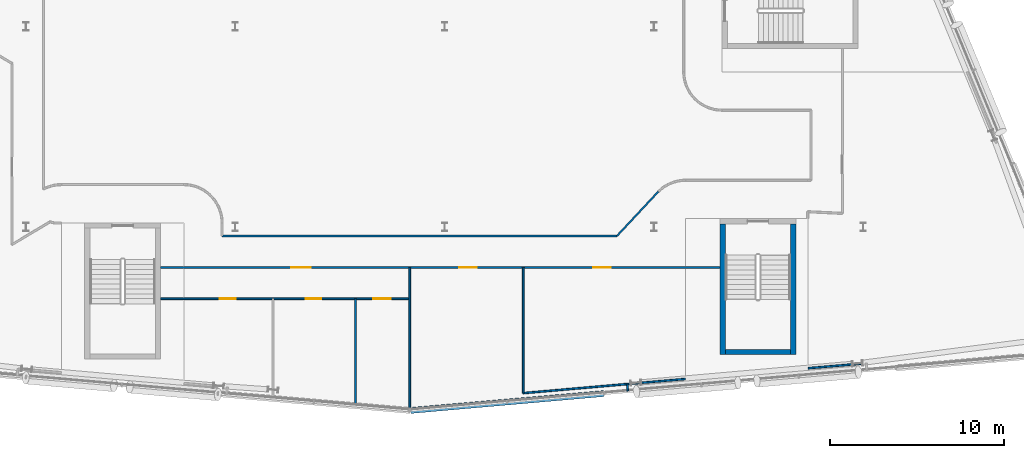
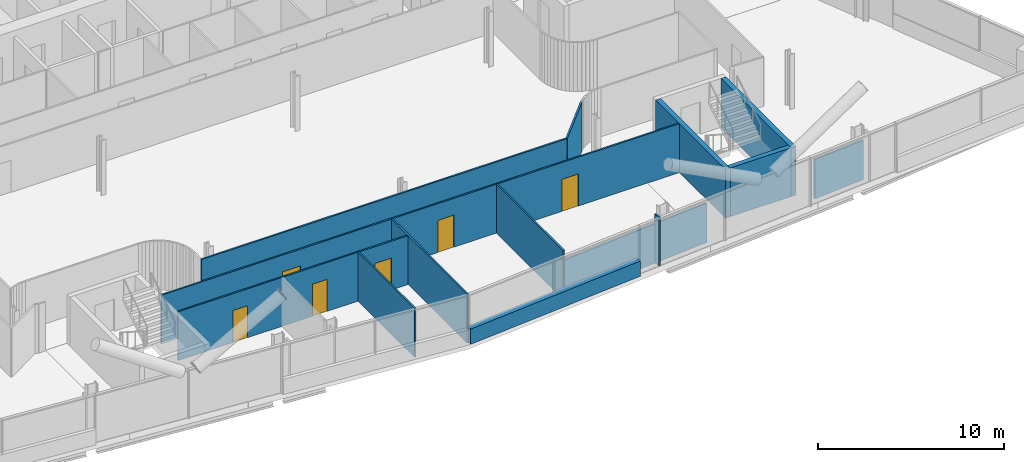
# One storey, part 15 of 27: 14 walls, 6 doors, 6 openings.
"""IFC4 building model written with IfcOpenShell, lengths in metres."""

from ifc_helpers import new_model, si_unit, direction, frame, frame_2d, origin, place, context, subcontext, project, spatial, rectangle, extrude, material, layer, layer_set, type_object, element, fill, save


model = new_model("IFC4")

# Units and contexts
model_context = context("Model", 3, precision=1e-05, world=origin(), true_north=direction((0.0, 1.0)))
body_context = subcontext(model_context, "Body", "Model", "MODEL_VIEW")
ifc_project = project(units=[si_unit("LENGTHUNIT", "METRE"), si_unit("AREAUNIT", "SQUARE_METRE"), si_unit("VOLUMEUNIT", "CUBIC_METRE"), si_unit("PLANEANGLEUNIT", "RADIAN"), si_unit("MASSUNIT", "GRAM", prefix="KILO")], contexts=[model_context])

# Site, building, storey
site_placement = place(None, origin())
site = spatial("IfcSite", under=ifc_project, at=site_placement, CompositionType="ELEMENT")
building_placement = place(site_placement, origin())
building = spatial("IfcBuilding", under=site, at=building_placement, Name="Wharfspan Tower", CompositionType="ELEMENT")
storey_placement = place(building_placement, frame((0.0, 0.0, 159.100098)))
storey = spatial("IfcBuildingStorey", under=building, at=storey_placement, Name="L38", CompositionType="ELEMENT", Elevation=159.100098)

# Wall, openings, doors
ifc_material_1 = material(Name="Gypsum board on steel studs", Category="steel")
ifc_layer_1 = layer(ifc_material_1, 0.100098)
ifc_layer_set_1 = layer_set([ifc_layer_1], Name="Gypsum board on steel studs")
wall_type_1 = type_object("IfcWallType", Name="Compartment wall 100 EI 60", PredefinedType="PARTITIONING", material=ifc_layer_set_1)
wall_1_placement = place(storey_placement, frame((31.714111, 9.179932, 0.0), z_axis=(0.0, 0.0, 1.0), x_axis=(1.0, 0.0, 0.0)))
wall_1 = element("IfcWall", 1, at=wall_1_placement, inside=storey, type_object=wall_type_1, Name="Partition L38.w029", PredefinedType="PARTITIONING", context=body_context, shape_type="SweptSolid", body=[
    extrude(rectangle(XDim=32.072266, YDim=0.100098, at=frame_2d((16.036133, 0.0))), origin(), (0.0, 0.0, 1.0), 3.199951),
])
opening_1_placement = place(wall_1_placement, frame((7.496582, 0.0, 0.0)))
opening_1 = element("IfcOpeningElement", 2, at=opening_1_placement, cuts=wall_1, Name="Opening C2-04", PredefinedType="OPENING", context=body_context, shape_type="SweptSolid", body=[
    extrude(rectangle(XDim=1.100098, YDim=2.100098, at=frame_2d((0.550049, 1.050049))), frame((0.0, 0.060059, 0.0), z_axis=(0.0, -1.0, 0.0), x_axis=(1.0, 0.0, 0.0)), (0.0, 0.0, 1.0), 0.120117),
])
opening_2_placement = place(wall_1_placement, frame((17.11084, 0.0, 0.0)))
opening_2 = element("IfcOpeningElement", 3, at=opening_2_placement, cuts=wall_1, Name="Opening C2-05", PredefinedType="OPENING", context=body_context, shape_type="SweptSolid", body=[
    extrude(rectangle(XDim=1.0, YDim=2.100098, at=frame_2d((0.5, 1.050049))), frame((0.0, 0.060059, 0.0), z_axis=(0.0, -1.0, 0.0), x_axis=(1.0, 0.0, 0.0)), (0.0, 0.0, 1.0), 0.120117),
])
opening_3_placement = place(wall_1_placement, frame((24.810791, 0.0, 0.0)))
opening_3 = element("IfcOpeningElement", 4, at=opening_3_placement, cuts=wall_1, Name="Opening C2-06", PredefinedType="OPENING", context=body_context, shape_type="SweptSolid", body=[
    extrude(rectangle(XDim=1.0, YDim=2.100098, at=frame_2d((0.5, 1.050049))), frame((0.0, 0.060059, 0.0), z_axis=(0.0, -1.0, 0.0), x_axis=(1.0, 0.0, 0.0)), (0.0, 0.0, 1.0), 0.120117),
])
ifc_material_2 = material(Name="Fire-rated timber door leaf in steel frame", Category="steel")
door_type_1 = type_object("IfcDoorType", Name="Door 1000 FD30S Right", OperationType="SINGLE_SWING_RIGHT", PredefinedType="DOOR", material=ifc_material_2)
door_1_placement = place(opening_2_placement, origin())
door_1 = element("IfcDoor", 5, at=door_1_placement, inside=storey, type_object=door_type_1, Name="Door C2-05", OperationType="SINGLE_SWING_RIGHT", OverallHeight=2.100098, OverallWidth=1.0, PredefinedType="DOOR", context=body_context, shape_type="SweptSolid", body=[
    extrude(rectangle(XDim=1.0, YDim=2.100098, at=frame_2d((0.5, 1.050049))), frame((0.0, 0.024902, 0.0), z_axis=(0.0, -1.0, 0.0), x_axis=(1.0, 0.0, 0.0)), (0.0, 0.0, 1.0), 0.050049),
])
fill(opening_2, door_1)
door_2_placement = place(opening_3_placement, origin())
door_2 = element("IfcDoor", 6, at=door_2_placement, inside=storey, type_object=door_type_1, Name="Door C2-06", OperationType="SINGLE_SWING_RIGHT", OverallHeight=2.100098, OverallWidth=1.0, PredefinedType="DOOR", context=body_context, shape_type="SweptSolid", body=[
    extrude(rectangle(XDim=1.0, YDim=2.100098, at=frame_2d((0.5, 1.050049))), frame((0.0, 0.024902, 0.0), z_axis=(0.0, -1.0, 0.0), x_axis=(1.0, 0.0, 0.0)), (0.0, 0.0, 1.0), 0.050049),
])
fill(opening_3, door_2)
door_type_2 = type_object("IfcDoorType", Name="Door 1100 FD30S Left", OperationType="SINGLE_SWING_LEFT", PredefinedType="DOOR", material=ifc_material_2)
door_3_placement = place(opening_1_placement, origin())
door_3 = element("IfcDoor", 7, at=door_3_placement, inside=storey, type_object=door_type_2, Name="Door C2-04", OperationType="SINGLE_SWING_LEFT", OverallHeight=2.100098, OverallWidth=1.100098, PredefinedType="DOOR", context=body_context, shape_type="SweptSolid", body=[
    extrude(rectangle(XDim=1.100098, YDim=2.100098, at=frame_2d((0.550049, 1.050049))), frame((0.0, 0.024902, 0.0), z_axis=(0.0, -1.0, 0.0), x_axis=(1.0, 0.0, 0.0)), (0.0, 0.0, 1.0), 0.050049),
])
fill(opening_1, door_3)

# Walls
wall_2_placement = place(storey_placement, frame((35.23999, 10.98999, 0.0), z_axis=(0.0, 0.0, 1.0), x_axis=(1.0, 0.0, 0.0)))
element("IfcWall", 8, at=wall_2_placement, inside=storey, type_object=wall_type_1, Name="Partition L38.w048", PredefinedType="PARTITIONING", context=body_context, shape_type="SweptSolid", body=[
    extrude(rectangle(XDim=22.63501, YDim=0.100098, at=frame_2d((11.317383, 0.0))), origin(), (0.0, 0.0, 1.0), 3.199951),
])
wall_3_placement = place(storey_placement, frame((46.0, 1.008057, 0.0), z_axis=(0.0, 0.0, 1.0), x_axis=(0.0, 1.0, 0.0)))
element("IfcWall", 9, at=wall_3_placement, inside=storey, type_object=wall_type_1, Name="Partition L38.w055", PredefinedType="PARTITIONING", context=body_context, shape_type="SweptSolid", body=[
    extrude(rectangle(XDim=8.171875, YDim=0.100098, at=frame_2d((4.085938, 0.0))), origin(), (0.0, 0.0, 1.0), 3.199951),
])
wall_4_placement = place(storey_placement, frame((52.5, 1.97998, 0.0), z_axis=(0.0, 0.0, 1.0), x_axis=(0.0, 1.0, 0.0)))
element("IfcWall", 10, at=wall_4_placement, inside=storey, type_object=wall_type_1, Name="Partition L38.w058", PredefinedType="PARTITIONING", context=body_context, shape_type="SweptSolid", body=[
    extrude(rectangle(XDim=7.205078, YDim=0.100098, at=frame_2d((3.602539, 0.0))), origin(), (0.0, 0.0, 1.0), 3.199951),
])
wall_5_placement = place(storey_placement, frame((57.875, 10.98999, 0.0), z_axis=(0.0, 0.0, 1.0), x_axis=(0.68229, 0.731075, 0.0)))
element("IfcWall", 11, at=wall_5_placement, inside=storey, type_object=wall_type_1, Name="Partition L38.w063", PredefinedType="PARTITIONING", context=body_context, shape_type="SweptSolid", body=[
    extrude(rectangle(XDim=3.488037, YDim=0.100098, at=frame_2d((1.744141, 0.0))), origin(), (0.0, 0.0, 1.0), 3.199951),
])

# Wall, openings, doors
ifc_layer_2 = layer(ifc_material_1, 0.100098)
ifc_layer_set_2 = layer_set([ifc_layer_2], Name="Gypsum board on steel studs")
wall_type_2 = type_object("IfcWallType", Name="Partition 100", PredefinedType="PARTITIONING", material=ifc_layer_set_2)
wall_6_placement = place(storey_placement, frame((31.714111, 7.38501, 0.0), z_axis=(0.0, 0.0, 1.0), x_axis=(1.0, 0.0, 0.0)))
wall_6 = element("IfcWall", 12, at=wall_6_placement, inside=storey, type_object=wall_type_2, Name="Partition L38.w028", PredefinedType="PARTITIONING", context=body_context, shape_type="SweptSolid", body=[
    extrude(rectangle(XDim=14.285889, YDim=0.100098, at=frame_2d((7.143066, 0.0))), origin(), (0.0, 0.0, 1.0), 3.199951),
])
opening_4_placement = place(wall_6_placement, frame((3.397705, 0.0, 0.0)))
opening_4 = element("IfcOpeningElement", 13, at=opening_4_placement, cuts=wall_6, Name="Opening C2-01", PredefinedType="OPENING", context=body_context, shape_type="SweptSolid", body=[
    extrude(rectangle(XDim=0.899902, YDim=2.100098, at=frame_2d((0.449951, 1.050049))), frame((0.0, 0.060059, 0.0), z_axis=(0.0, -1.0, 0.0), x_axis=(1.0, 0.0, 0.0)), (0.0, 0.0, 1.0), 0.120117),
])
opening_5_placement = place(wall_6_placement, frame((8.317627, 0.0, 0.0)))
opening_5 = element("IfcOpeningElement", 14, at=opening_5_placement, cuts=wall_6, Name="Opening C2-02", PredefinedType="OPENING", context=body_context, shape_type="SweptSolid", body=[
    extrude(rectangle(XDim=0.899902, YDim=2.100098, at=frame_2d((0.449951, 1.050049))), frame((0.0, 0.060059, 0.0), z_axis=(0.0, -1.0, 0.0), x_axis=(1.0, 0.0, 0.0)), (0.0, 0.0, 1.0), 0.120117),
])
opening_6_placement = place(wall_6_placement, frame((12.197754, 0.0, 0.0)))
opening_6 = element("IfcOpeningElement", 15, at=opening_6_placement, cuts=wall_6, Name="Opening C2-03", PredefinedType="OPENING", context=body_context, shape_type="SweptSolid", body=[
    extrude(rectangle(XDim=1.0, YDim=2.100098, at=frame_2d((0.5, 1.050049))), frame((0.0, 0.060059, 0.0), z_axis=(0.0, -1.0, 0.0), x_axis=(1.0, 0.0, 0.0)), (0.0, 0.0, 1.0), 0.120117),
])
ifc_material_3 = material(Name="Timber door leaf in steel frame", Category="steel")
door_type_3 = type_object("IfcDoorType", Name="Door 1000 NOT RATED Right", OperationType="SINGLE_SWING_RIGHT", PredefinedType="DOOR", material=ifc_material_3)
door_4_placement = place(opening_6_placement, origin())
door_4 = element("IfcDoor", 16, at=door_4_placement, inside=storey, type_object=door_type_3, Name="Door C2-03", OperationType="SINGLE_SWING_RIGHT", OverallHeight=2.100098, OverallWidth=1.0, PredefinedType="DOOR", context=body_context, shape_type="SweptSolid", body=[
    extrude(rectangle(XDim=1.0, YDim=2.100098, at=frame_2d((0.5, 1.050049))), frame((0.0, 0.024902, 0.0), z_axis=(0.0, -1.0, 0.0), x_axis=(1.0, 0.0, 0.0)), (0.0, 0.0, 1.0), 0.050049),
])
fill(opening_6, door_4)
door_type_4 = type_object("IfcDoorType", Name="Door 900 NOT RATED Left", OperationType="SINGLE_SWING_LEFT", PredefinedType="DOOR", material=ifc_material_3)
door_5_placement = place(opening_4_placement, origin())
door_5 = element("IfcDoor", 17, at=door_5_placement, inside=storey, type_object=door_type_4, Name="Door C2-01", OperationType="SINGLE_SWING_LEFT", OverallHeight=2.100098, OverallWidth=0.899902, PredefinedType="DOOR", context=body_context, shape_type="SweptSolid", body=[
    extrude(rectangle(XDim=0.899902, YDim=2.100098, at=frame_2d((0.449951, 1.050049))), frame((0.0, 0.024902, 0.0), z_axis=(0.0, -1.0, 0.0), x_axis=(1.0, 0.0, 0.0)), (0.0, 0.0, 1.0), 0.050049),
])
fill(opening_4, door_5)
door_type_5 = type_object("IfcDoorType", Name="Door 900 NOT RATED Right", OperationType="SINGLE_SWING_RIGHT", PredefinedType="DOOR", material=ifc_material_3)
door_6_placement = place(opening_5_placement, origin())
door_6 = element("IfcDoor", 18, at=door_6_placement, inside=storey, type_object=door_type_5, Name="Door C2-02", OperationType="SINGLE_SWING_RIGHT", OverallHeight=2.100098, OverallWidth=0.899902, PredefinedType="DOOR", context=body_context, shape_type="SweptSolid", body=[
    extrude(rectangle(XDim=0.899902, YDim=2.100098, at=frame_2d((0.449951, 1.050049))), frame((0.0, 0.024902, 0.0), z_axis=(0.0, -1.0, 0.0), x_axis=(1.0, 0.0, 0.0)), (0.0, 0.0, 1.0), 0.050049),
])
fill(opening_5, door_6)

# Walls
wall_7_placement = place(storey_placement, frame((42.889893, 1.280029, 0.0), z_axis=(0.0, 0.0, 1.0), x_axis=(0.0, 1.0, 0.0)))
element("IfcWall", 19, at=wall_7_placement, inside=storey, type_object=wall_type_2, Name="Partition L38.w052", PredefinedType="PARTITIONING", context=body_context, shape_type="SweptSolid", body=[
    extrude(rectangle(XDim=6.10498, YDim=0.100098, at=frame_2d((3.05249, 0.0))), origin(), (0.0, 0.0, 1.0), 3.199951),
])
wall_8_placement = place(storey_placement, frame((52.5, 1.97998, 0.0), z_axis=(0.0, 0.0, 1.0), x_axis=(0.99622, 0.086844, 0.0)))
element("IfcWall", 20, at=wall_8_placement, inside=storey, type_object=wall_type_2, Name="Partition L38.w059", PredefinedType="PARTITIONING", context=body_context, shape_type="SweptSolid", body=[
    extrude(rectangle(XDim=9.327637, YDim=0.100098, at=frame_2d((4.663818, 0.0))), origin(), (0.0, 0.0, 1.0), 2.579834),
])
wall_9_placement = place(storey_placement, frame((58.498291, 2.101562, 0.0), z_axis=(0.0, 0.0, 1.0), x_axis=(-0.083045, 0.996542, 0.0)))
element("IfcWall", 21, at=wall_9_placement, inside=storey, type_object=wall_type_2, Name="Partition L38.w066", PredefinedType="PARTITIONING", context=body_context, shape_type="SweptSolid", body=[
    extrude(rectangle(XDim=0.399902, YDim=0.100098, at=frame_2d((0.199951, 0.0))), origin(), (0.0, 0.0, 1.0), 3.199951),
])
wall_10_placement = place(storey_placement, frame((68.831299, 3.406738, 0.0), z_axis=(0.0, 0.0, 1.0), x_axis=(0.996308, 0.085898, 0.0)))
element("IfcWall", 22, at=wall_10_placement, inside=storey, type_object=wall_type_2, Name="Partition L38.w098", PredefinedType="PARTITIONING", context=body_context, shape_type="SweptSolid", body=[
    extrude(rectangle(XDim=3.18042, YDim=0.100098, at=frame_2d((1.590332, 0.0))), origin(), (0.0, 0.0, 1.0), 2.579834),
])
ifc_material_4 = material(Name="Concrete C40/50", Category="concrete")
ifc_layer_3 = layer(ifc_material_4, 0.350098)
ifc_layer_set_3 = layer_set([ifc_layer_3], Name="Concrete C40/50")
wall_type_3 = type_object("IfcWallType", Name="SPANDREL EXPOSED CONCRETE 350", PredefinedType="SOLIDWALL", material=ifc_layer_set_3)
wall_11_placement = place(storey_placement, frame((46.04541, 0.986816, 0.0), z_axis=(0.0, 0.0, 1.0), x_axis=(0.996193, 0.087171, 0.0)))
element("IfcWall", 23, at=wall_11_placement, inside=storey, type_object=wall_type_3, Name="Spandrel upstand L38 S2 1", PredefinedType="SOLIDWALL", context=body_context, shape_type="SweptSolid", body=[
    extrude(rectangle(XDim=11.110352, YDim=0.350098, at=frame_2d((5.555176, 0.0))), origin(), (0.0, 0.0, 1.0), 1.0),
])
ifc_layer_4 = layer(ifc_material_4, 0.300049)
ifc_layer_set_4 = layer_set([ifc_layer_4], Name="Concrete C40/50")
wall_type_4 = type_object("IfcWallType", Name="Stair core wall 300", PredefinedType="SHEAR", material=ifc_layer_set_4)
for number, where, z_axis, x_axis, name in (
    (24, (63.936279, 4.183594, 0.0), (0.0, 0.0, 1.0), (0.0, 1.0, 0.0), "ST5 stair enclosure wall L38"),
    (25, (67.986328, 4.183594, 0.0), (0.0, 0.0, 1.0), (0.0, 1.0, 0.0), "ST5 stair enclosure wall L38"),
):
    element("IfcWall", number, at=place(storey_placement, frame(where, z_axis=z_axis, x_axis=x_axis)), inside=storey, type_object=wall_type_4, Name=name, PredefinedType="SHEAR", context=body_context, shape_type="SweptSolid", body=[
        extrude(rectangle(XDim=7.5, YDim=0.300049, at=frame_2d((3.75, 0.0))), origin(), (0.0, 0.0, 1.0), 3.199951),
    ])
wall_12_placement = place(storey_placement, frame((64.086426, 4.33374, 0.0), z_axis=(0.0, 0.0, 1.0), x_axis=(1.0, 0.0, 0.0)))
element("IfcWall", 26, at=wall_12_placement, inside=storey, type_object=wall_type_4, Name="ST5 stair enclosure wall L38", PredefinedType="SHEAR", context=body_context, shape_type="SweptSolid", body=[
    extrude(rectangle(XDim=3.75, YDim=0.300049, at=frame_2d((1.875, 0.0))), origin(), (0.0, 0.0, 1.0), 3.199951),
])

save(model, "model.ifc")
